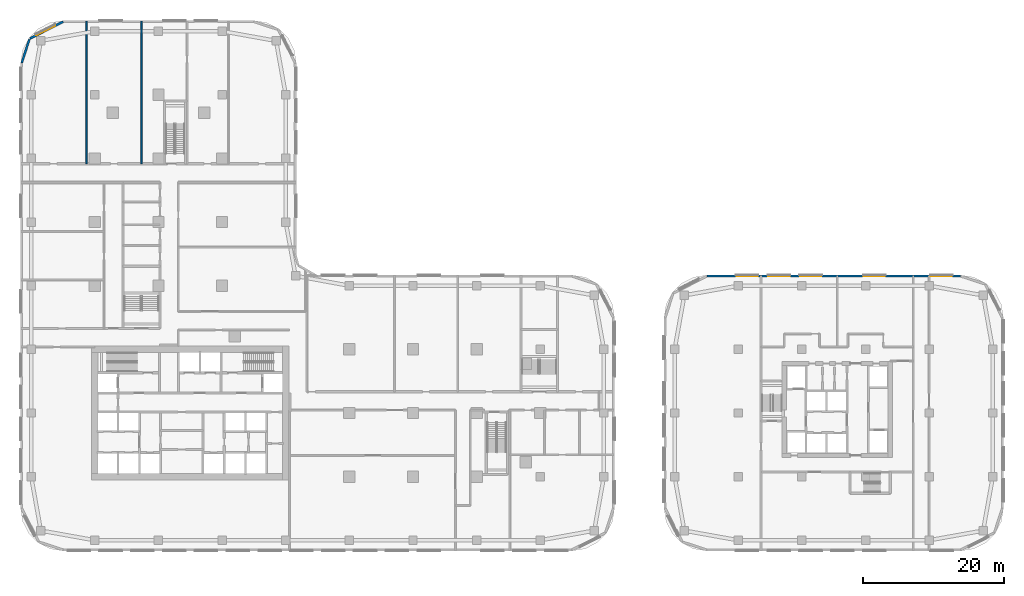
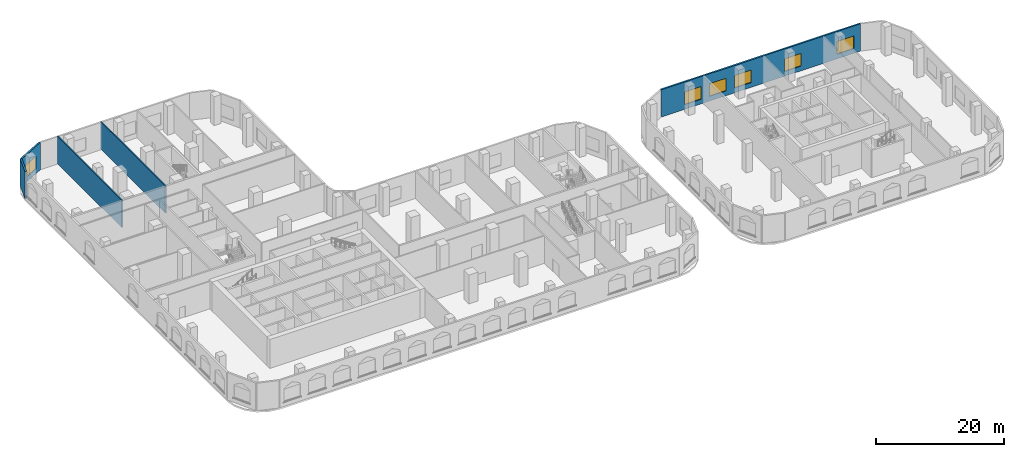
# One storey, part 11 of 31: 6 windows, 5 walls, 6 openings.
"""IFC4 building model written with IfcOpenShell, lengths in metres."""

from ifc_helpers import new_model, si_unit, direction, frame, frame_2d, origin, place, context, subcontext, project, spatial, rectangle, extrude, material, layer, layer_set, type_object, element, fill, save


model = new_model("IFC4")

# Units and contexts
model_context = context("Model", 3, precision=1e-05, world=origin(), true_north=direction((0.0, 1.0)))
body_context = subcontext(model_context, "Body", "Model", "MODEL_VIEW")
ifc_project = project(units=[si_unit("LENGTHUNIT", "METRE"), si_unit("AREAUNIT", "SQUARE_METRE"), si_unit("VOLUMEUNIT", "CUBIC_METRE"), si_unit("PLANEANGLEUNIT", "RADIAN"), si_unit("MASSUNIT", "GRAM", prefix="KILO")], contexts=[model_context])

# Site, building, storey
site_placement = place(None, origin())
site = spatial("IfcSite", under=ifc_project, at=site_placement, CompositionType="ELEMENT")
building_placement = place(site_placement, origin())
building = spatial("IfcBuilding", under=site, at=building_placement, Name="Ogive Portal Towers", CompositionType="ELEMENT")
storey_placement = place(building_placement, frame((0.0, 0.0, 8.0)))
storey = spatial("IfcBuildingStorey", under=building, at=storey_placement, Name="L01", CompositionType="ELEMENT", Elevation=8.0)

# Wall, opening, window
ifc_material_1 = material(Name="Limestone cladding on lightweight block wall", Category="masonry")
ifc_layer_1 = layer(ifc_material_1, 0.300048828125)
ifc_layer_set_1 = layer_set([ifc_layer_1], Name="EXTERNAL WALL 300 STONE")
wall_type_1 = type_object("IfcWallType", Name="EXTERNAL WALL 300 STONE", PredefinedType="SOLIDWALL", material=ifc_layer_set_1)
wall_1_placement = place(storey_placement, frame((27.00390625, 85.833740234375, 0.0), z_axis=(0.0, 0.0, 1.0), x_axis=(-0.890998339455, -0.454006562826, 0.0)))
wall_1 = element("IfcWall", 1, at=wall_1_placement, inside=storey, type_object=wall_type_1, Name="A:L01:f15:w0", PredefinedType="SOLIDWALL", context=body_context, shape_type="SweptSolid", body=[
    extrude(rectangle(XDim=5.251708984375, YDim=0.300048828125, at=frame_2d((2.6259765625, 0.0))), origin(), (0.0, 0.0, 1.0), 5.199951171875),
])
opening_1_placement = place(wall_1_placement, frame((1.223876953125, 0.0, 0.89990234375)))
opening_1 = element("IfcOpeningElement", 2, at=opening_1_placement, cuts=wall_1, Name="Opening WN3", PredefinedType="OPENING", context=body_context, shape_type="SweptSolid", body=[
    extrude(rectangle(XDim=3.0, YDim=2.39990234375, at=frame_2d((1.5, 1.199951171875))), frame((0.0, 0.16015625, 0.0), z_axis=(0.0, -1.0, 0.0), x_axis=(1.0, 0.0, 0.0)), (0.0, 0.0, 1.0), 0.320068359375),
])
ifc_material_2 = material(Name="Glass, clear low-iron insulated glazing", Category="glass")
window_type = type_object("IfcWindowType", Name="WINDOW PODIUM 3000x2400", PartitioningType="SINGLE_PANEL", PredefinedType="WINDOW", material=ifc_material_2)
window_1_placement = place(opening_1_placement, origin())
window_1 = element("IfcWindow", 3, at=window_1_placement, inside=storey, type_object=window_type, Name="A:L01:f15:w0:o0", OverallHeight=2.39990234375, OverallWidth=3.0, PartitioningType="SINGLE_PANEL", PredefinedType="WINDOW", context=body_context, shape_type="SweptSolid", body=[
    extrude(rectangle(XDim=3.0, YDim=2.39990234375, at=frame_2d((1.5, 1.199951171875))), frame((0.0, 0.030029296875, 0.0), z_axis=(0.0, -1.0, 0.0), x_axis=(1.0, 0.0, 0.0)), (0.0, 0.0, 1.0), 0.06005859375),
])
fill(opening_1, window_1)

# Wall
wall_2_placement = place(storey_placement, frame((22.250244140625, 83.362060546875, 0.0), z_axis=(0.0, 0.0, 1.0), x_axis=(-0.309073584194, -0.951038127287, 0.0)))
element("IfcWall", 4, at=wall_2_placement, inside=storey, type_object=wall_type_1, Name="A:L01:f16:w0", PredefinedType="SOLIDWALL", context=body_context, shape_type="SweptSolid", body=[
    extrude(rectangle(XDim=3.536376953125, YDim=0.300048828125, at=frame_2d((1.76806640625, 0.0))), origin(), (0.0, 0.0, 1.0), 5.199951171875),
])

# Wall, openings, windows
wall_3_placement = place(storey_placement, frame((153.952392578125, 49.85009765625, 0.0), z_axis=(0.0, 0.0, 1.0), x_axis=(-1.0, 0.0, 0.0)))
wall_3 = element("IfcWall", 5, at=wall_3_placement, inside=storey, type_object=wall_type_1, Name="B:L01:f08:w0", PredefinedType="SOLIDWALL", context=body_context, shape_type="SweptSolid", body=[
    extrude(rectangle(XDim=35.88037109375, YDim=0.300048828125, at=frame_2d((17.940185546875, 0.0))), origin(), (0.0, 0.0, 1.0), 5.199951171875),
])
opening_2_placement = place(wall_3_placement, frame((1.226318359375, 0.0, 0.89990234375)))
opening_2 = element("IfcOpeningElement", 6, at=opening_2_placement, cuts=wall_3, Name="Opening WN3", PredefinedType="OPENING", context=body_context, shape_type="SweptSolid", body=[
    extrude(rectangle(XDim=3.0, YDim=2.39990234375, at=frame_2d((1.5, 1.199951171875))), frame((0.0, 0.16015625, 0.0), z_axis=(0.0, -1.0, 0.0), x_axis=(1.0, 0.0, 0.0)), (0.0, 0.0, 1.0), 0.320068359375),
])
opening_3_placement = place(wall_3_placement, frame((10.702392578125, 0.0, 0.89990234375)))
opening_3 = element("IfcOpeningElement", 7, at=opening_3_placement, cuts=wall_3, Name="Opening WN3", PredefinedType="OPENING", context=body_context, shape_type="SweptSolid", body=[
    extrude(rectangle(XDim=3.0, YDim=2.39990234375, at=frame_2d((1.5, 1.199951171875))), frame((0.0, 0.16015625, 0.0), z_axis=(0.0, -1.0, 0.0), x_axis=(1.0, 0.0, 0.0)), (0.0, 0.0, 1.0), 0.320068359375),
])
opening_4_placement = place(wall_3_placement, frame((19.702392578125, 0.0, 0.89990234375)))
opening_4 = element("IfcOpeningElement", 8, at=opening_4_placement, cuts=wall_3, Name="Opening WN3", PredefinedType="OPENING", context=body_context, shape_type="SweptSolid", body=[
    extrude(rectangle(XDim=3.0, YDim=2.39990234375, at=frame_2d((1.5, 1.199951171875))), frame((0.0, 0.16015625, 0.0), z_axis=(0.0, -1.0, 0.0), x_axis=(1.0, 0.0, 0.0)), (0.0, 0.0, 1.0), 0.320068359375),
])
opening_5_placement = place(wall_3_placement, frame((24.202392578125, 0.0, 0.89990234375)))
opening_5 = element("IfcOpeningElement", 9, at=opening_5_placement, cuts=wall_3, Name="Opening WN3", PredefinedType="OPENING", context=body_context, shape_type="SweptSolid", body=[
    extrude(rectangle(XDim=3.0, YDim=2.39990234375, at=frame_2d((1.5, 1.199951171875))), frame((0.0, 0.16015625, 0.0), z_axis=(0.0, -1.0, 0.0), x_axis=(1.0, 0.0, 0.0)), (0.0, 0.0, 1.0), 0.320068359375),
])
opening_6_placement = place(wall_3_placement, frame((28.702392578125, 0.0, 0.89990234375)))
opening_6 = element("IfcOpeningElement", 10, at=opening_6_placement, cuts=wall_3, Name="Opening WN3", PredefinedType="OPENING", context=body_context, shape_type="SweptSolid", body=[
    extrude(rectangle(XDim=3.0, YDim=2.39990234375, at=frame_2d((1.5, 1.199951171875))), frame((0.0, 0.16015625, 0.0), z_axis=(0.0, -1.0, 0.0), x_axis=(1.0, 0.0, 0.0)), (0.0, 0.0, 1.0), 0.320068359375),
])
window_2_placement = place(opening_2_placement, origin())
window_2 = element("IfcWindow", 11, at=window_2_placement, inside=storey, type_object=window_type, Name="B:L01:f08:w0:o0", OverallHeight=2.39990234375, OverallWidth=3.0, PartitioningType="SINGLE_PANEL", PredefinedType="WINDOW", context=body_context, shape_type="SweptSolid", body=[
    extrude(rectangle(XDim=3.0, YDim=2.39990234375, at=frame_2d((1.5, 1.199951171875))), frame((0.0, 0.030029296875, 0.0), z_axis=(0.0, -1.0, 0.0), x_axis=(1.0, 0.0, 0.0)), (0.0, 0.0, 1.0), 0.06005859375),
])
fill(opening_2, window_2)
window_3_placement = place(opening_3_placement, origin())
window_3 = element("IfcWindow", 12, at=window_3_placement, inside=storey, type_object=window_type, Name="B:L01:f08:w0:o1b", OverallHeight=2.39990234375, OverallWidth=3.0, PartitioningType="SINGLE_PANEL", PredefinedType="WINDOW", context=body_context, shape_type="SweptSolid", body=[
    extrude(rectangle(XDim=3.0, YDim=2.39990234375, at=frame_2d((1.5, 1.199951171875))), frame((0.0, 0.030029296875, 0.0), z_axis=(0.0, -1.0, 0.0), x_axis=(1.0, 0.0, 0.0)), (0.0, 0.0, 1.0), 0.06005859375),
])
fill(opening_3, window_3)
window_4_placement = place(opening_4_placement, origin())
window_4 = element("IfcWindow", 13, at=window_4_placement, inside=storey, type_object=window_type, Name="B:L01:f08:w0:o2b", OverallHeight=2.39990234375, OverallWidth=3.0, PartitioningType="SINGLE_PANEL", PredefinedType="WINDOW", context=body_context, shape_type="SweptSolid", body=[
    extrude(rectangle(XDim=3.0, YDim=2.39990234375, at=frame_2d((1.5, 1.199951171875))), frame((0.0, 0.030029296875, 0.0), z_axis=(0.0, -1.0, 0.0), x_axis=(1.0, 0.0, 0.0)), (0.0, 0.0, 1.0), 0.06005859375),
])
fill(opening_4, window_4)
window_5_placement = place(opening_5_placement, origin())
window_5 = element("IfcWindow", 14, at=window_5_placement, inside=storey, type_object=window_type, Name="B:L01:f08:w0:o3a", OverallHeight=2.39990234375, OverallWidth=3.0, PartitioningType="SINGLE_PANEL", PredefinedType="WINDOW", context=body_context, shape_type="SweptSolid", body=[
    extrude(rectangle(XDim=3.0, YDim=2.39990234375, at=frame_2d((1.5, 1.199951171875))), frame((0.0, 0.030029296875, 0.0), z_axis=(0.0, -1.0, 0.0), x_axis=(1.0, 0.0, 0.0)), (0.0, 0.0, 1.0), 0.06005859375),
])
fill(opening_5, window_5)
window_6_placement = place(opening_6_placement, origin())
window_6 = element("IfcWindow", 15, at=window_6_placement, inside=storey, type_object=window_type, Name="B:L01:f08:w0:o3b", OverallHeight=2.39990234375, OverallWidth=3.0, PartitioningType="SINGLE_PANEL", PredefinedType="WINDOW", context=body_context, shape_type="SweptSolid", body=[
    extrude(rectangle(XDim=3.0, YDim=2.39990234375, at=frame_2d((1.5, 1.199951171875))), frame((0.0, 0.030029296875, 0.0), z_axis=(0.0, -1.0, 0.0), x_axis=(1.0, 0.0, 0.0)), (0.0, 0.0, 1.0), 0.06005859375),
])
fill(opening_6, window_6)

# Walls
ifc_material_3 = material(Name="Gypsum board partition on steel studs", Category="steel")
ifc_layer_2 = layer(ifc_material_3, 0.199951171875)
ifc_layer_set_2 = layer_set([ifc_layer_2], Name="WT-PART-200-EI 60")
wall_type_2 = type_object("IfcWallType", Name="WT-PART-200-EI 60", PredefinedType="PARTITIONING", material=ifc_layer_set_2)
for number, where, z_axis, x_axis, name in (
    (16, (30.297119140625, 65.75, 0.0), (0.0, 0.0, 1.0), (0.0, 1.0, 0.0), "Wall L01:w064"),
    (17, (38.1298828125, 65.75, 0.0), (0.0, 0.0, 1.0), (0.0, 1.0, 0.0), "Wall L01:w069"),
):
    element("IfcWall", number, at=place(storey_placement, frame(where, z_axis=z_axis, x_axis=x_axis)), inside=storey, type_object=wall_type_2, Name=name, PredefinedType="PARTITIONING", context=body_context, shape_type="SweptSolid", body=[
        extrude(rectangle(XDim=20.179931640625, YDim=0.199951171875, at=frame_2d((10.08984375, 0.0))), origin(), (0.0, 0.0, 1.0), 5.199951171875),
    ])

save(model, "model.ifc")
